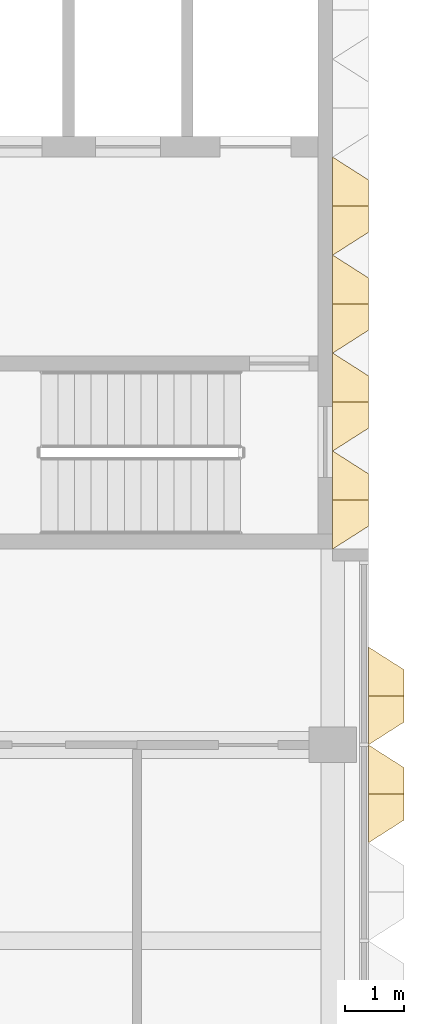
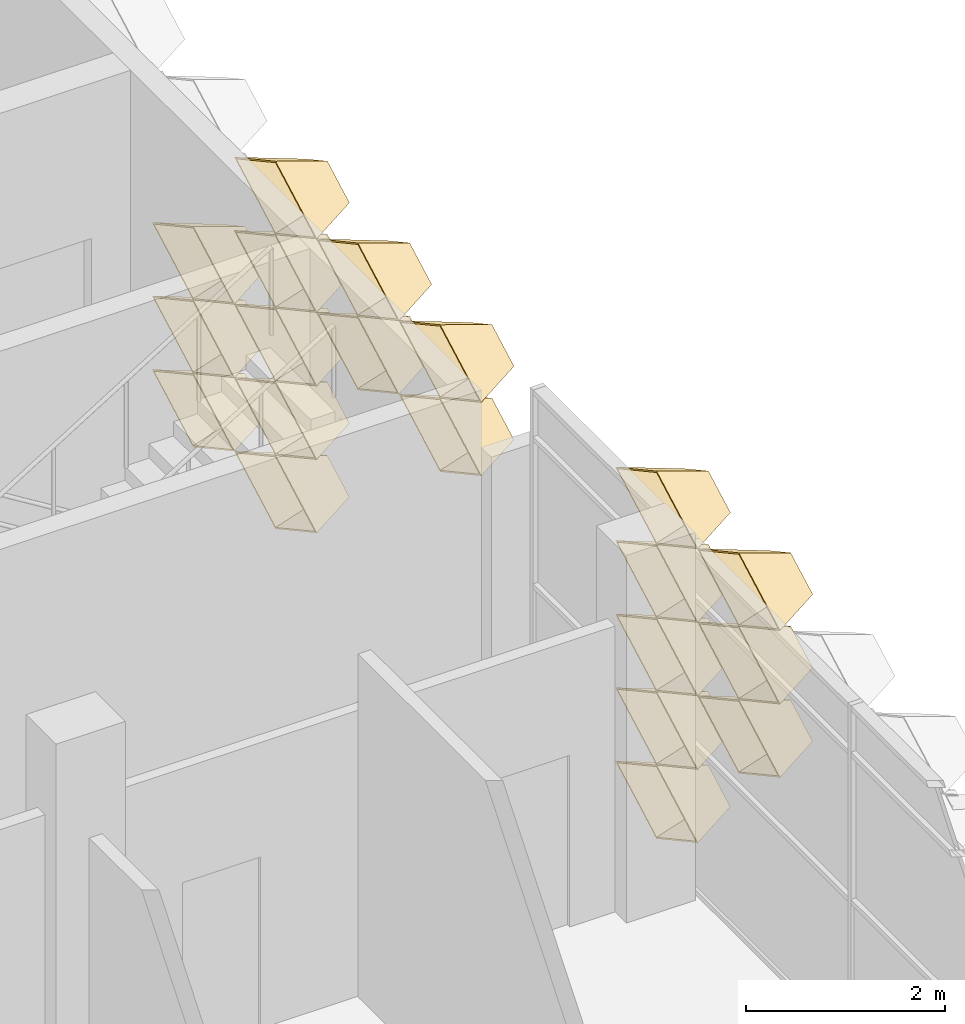
# One storey, part 54 of 61: 20 coverings.
"""IFC4 building model written with IfcOpenShell, lengths in metres."""

from ifc_helpers import new_model, entity, si_unit, direction, frame, origin, place, context, subcontext, project, spatial, material, layer, layer_set, type_object, element, save


model = new_model("IFC4")

# Units and contexts
model_context = context("Model", 3, precision=1e-05, world=origin(), true_north=direction((0.0, 1.0)))
body_context = subcontext(model_context, "Body", "Model", "MODEL_VIEW")
ifc_project = project(units=[si_unit("LENGTHUNIT", "METRE"), si_unit("AREAUNIT", "SQUARE_METRE"), si_unit("VOLUMEUNIT", "CUBIC_METRE"), si_unit("PLANEANGLEUNIT", "RADIAN"), si_unit("MASSUNIT", "GRAM", prefix="KILO")], contexts=[model_context])

# Site, building, storey
site_placement = place(None, origin())
site = spatial("IfcSite", under=ifc_project, at=site_placement, CompositionType="ELEMENT")
building_placement = place(site_placement, origin())
building = spatial("IfcBuilding", under=site, at=building_placement, Name="Lantern Court Research Institute", CompositionType="ELEMENT")
storey_placement = place(building_placement, frame((0.0, 0.0, 23.39990234375)))
storey = spatial("IfcBuildingStorey", under=building, at=storey_placement, Name="L05", CompositionType="ELEMENT", Elevation=23.39990234375)

# Coverings
ifc_material = material(Name="Anodised aluminium", Category="aluminium")
ifc_layer = layer(ifc_material, 0.01611328125)
ifc_layer_set = layer_set([ifc_layer], Name="Anodised aluminium")
covering_type = type_object("IfcCoveringType", Name="Fin cassette 1650 x 900 x 600 aluminium", PredefinedType="CLADDING", material=ifc_layer_set)
covering_1_placement = place(storey_placement, frame((79.199951171875, 17.324951171875, 0.4501953125), z_axis=(1.0, 0.0, 0.0), x_axis=(0.0, 1.0, 0.0)))
cartesian_point_1 = entity("IfcCartesianPoint", [0.824951171875, 0.0])
cartesian_point_2 = entity("IfcCartesianPoint", [0.79150390625, 0.0])
cartesian_point_3 = entity("IfcCartesianPoint", [0.44189453125, 0.0])
cartesian_point_4 = entity("IfcCartesianPoint", [0.43359375, 0.0])
element("IfcCovering", 1, at=covering_1_placement, inside=storey, type_object=covering_type, Name="Fin cassette V5E-L05 1.11", PredefinedType="CLADDING", context=body_context, shape_type="SweptSolid", body=[
    entity("IfcExtrudedAreaSolidTapered", entity("IfcArbitraryProfileDefWithVoids", "AREA", None, entity("IfcPolyline", [cartesian_point_1, entity("IfcCartesianPoint", [0.0, 0.449951171875]), entity("IfcCartesianPoint", [-0.824951171875, 0.0]), entity("IfcCartesianPoint", [0.0, -0.449951171875]), cartesian_point_1]), [entity("IfcPolyline", [cartesian_point_2, entity("IfcCartesianPoint", [0.0, 0.431884765625]), entity("IfcCartesianPoint", [-0.79150390625, 0.0]), entity("IfcCartesianPoint", [0.0, -0.431884765625]), cartesian_point_2])]), entity("IfcAxis2Placement3D", entity("IfcCartesianPoint", [0.0, 0.0, 0.0])), entity("IfcDirection", [0.0, 0.0, 1.0]), 0.60009765625, entity("IfcArbitraryProfileDefWithVoids", "AREA", None, entity("IfcPolyline", [cartesian_point_3, entity("IfcCartesianPoint", [0.0, 0.240966796875]), entity("IfcCartesianPoint", [-0.44189453125, 0.0]), entity("IfcCartesianPoint", [0.0, -0.240966796875]), cartesian_point_3]), [entity("IfcPolyline", [cartesian_point_4, entity("IfcCartesianPoint", [0.0, 0.236572265625]), entity("IfcCartesianPoint", [-0.43359375, 0.0]), entity("IfcCartesianPoint", [0.0, -0.236572265625]), cartesian_point_4])])),
])
covering_2_placement = place(storey_placement, frame((79.199951171875, 18.97509765625, 0.4501953125), z_axis=(1.0, 0.0, 0.0), x_axis=(0.0, 1.0, 0.0)))
cartesian_point_5 = entity("IfcCartesianPoint", [0.824951171875, 0.0])
cartesian_point_6 = entity("IfcCartesianPoint", [0.79150390625, 0.0])
cartesian_point_7 = entity("IfcCartesianPoint", [0.44189453125, 0.0])
cartesian_point_8 = entity("IfcCartesianPoint", [0.43359375, 0.0])
element("IfcCovering", 2, at=covering_2_placement, inside=storey, type_object=covering_type, Name="Fin cassette V5E-L05 1.12", PredefinedType="CLADDING", context=body_context, shape_type="SweptSolid", body=[
    entity("IfcExtrudedAreaSolidTapered", entity("IfcArbitraryProfileDefWithVoids", "AREA", None, entity("IfcPolyline", [cartesian_point_5, entity("IfcCartesianPoint", [0.0, 0.449951171875]), entity("IfcCartesianPoint", [-0.824951171875, 0.0]), entity("IfcCartesianPoint", [0.0, -0.449951171875]), cartesian_point_5]), [entity("IfcPolyline", [cartesian_point_6, entity("IfcCartesianPoint", [0.0, 0.431884765625]), entity("IfcCartesianPoint", [-0.79150390625, 0.0]), entity("IfcCartesianPoint", [0.0, -0.431884765625]), cartesian_point_6])]), entity("IfcAxis2Placement3D", entity("IfcCartesianPoint", [0.0, 0.0, 0.0])), entity("IfcDirection", [0.0, 0.0, 1.0]), 0.60009765625, entity("IfcArbitraryProfileDefWithVoids", "AREA", None, entity("IfcPolyline", [cartesian_point_7, entity("IfcCartesianPoint", [0.0, 0.240966796875]), entity("IfcCartesianPoint", [-0.44189453125, 0.0]), entity("IfcCartesianPoint", [0.0, -0.240966796875]), cartesian_point_7]), [entity("IfcPolyline", [cartesian_point_8, entity("IfcCartesianPoint", [0.0, 0.236572265625]), entity("IfcCartesianPoint", [-0.43359375, 0.0]), entity("IfcCartesianPoint", [0.0, -0.236572265625]), cartesian_point_8])])),
])
covering_3_placement = place(storey_placement, frame((79.199951171875, 17.324951171875, 1.35009765625), z_axis=(1.0, 0.0, 0.0), x_axis=(0.0, 1.0, 0.0)))
cartesian_point_9 = entity("IfcCartesianPoint", [0.824951171875, 0.0])
cartesian_point_10 = entity("IfcCartesianPoint", [0.79150390625, 0.0])
cartesian_point_11 = entity("IfcCartesianPoint", [0.44189453125, 0.0])
cartesian_point_12 = entity("IfcCartesianPoint", [0.43359375, 0.0])
element("IfcCovering", 3, at=covering_3_placement, inside=storey, type_object=covering_type, Name="Fin cassette V5E-L05 2.11", PredefinedType="CLADDING", context=body_context, shape_type="SweptSolid", body=[
    entity("IfcExtrudedAreaSolidTapered", entity("IfcArbitraryProfileDefWithVoids", "AREA", None, entity("IfcPolyline", [cartesian_point_9, entity("IfcCartesianPoint", [0.0, 0.449951171875]), entity("IfcCartesianPoint", [-0.824951171875, 0.0]), entity("IfcCartesianPoint", [0.0, -0.449951171875]), cartesian_point_9]), [entity("IfcPolyline", [cartesian_point_10, entity("IfcCartesianPoint", [0.0, 0.431884765625]), entity("IfcCartesianPoint", [-0.79150390625, 0.0]), entity("IfcCartesianPoint", [0.0, -0.431884765625]), cartesian_point_10])]), entity("IfcAxis2Placement3D", entity("IfcCartesianPoint", [0.0, 0.0, 0.0])), entity("IfcDirection", [0.0, 0.0, 1.0]), 0.60009765625, entity("IfcArbitraryProfileDefWithVoids", "AREA", None, entity("IfcPolyline", [cartesian_point_11, entity("IfcCartesianPoint", [0.0, 0.240966796875]), entity("IfcCartesianPoint", [-0.44189453125, 0.0]), entity("IfcCartesianPoint", [0.0, -0.240966796875]), cartesian_point_11]), [entity("IfcPolyline", [cartesian_point_12, entity("IfcCartesianPoint", [0.0, 0.236572265625]), entity("IfcCartesianPoint", [-0.43359375, 0.0]), entity("IfcCartesianPoint", [0.0, -0.236572265625]), cartesian_point_12])])),
])
covering_4_placement = place(storey_placement, frame((79.199951171875, 18.97509765625, 1.35009765625), z_axis=(1.0, 0.0, 0.0), x_axis=(0.0, 1.0, 0.0)))
cartesian_point_13 = entity("IfcCartesianPoint", [0.824951171875, 0.0])
cartesian_point_14 = entity("IfcCartesianPoint", [0.79150390625, 0.0])
cartesian_point_15 = entity("IfcCartesianPoint", [0.44189453125, 0.0])
cartesian_point_16 = entity("IfcCartesianPoint", [0.43359375, 0.0])
element("IfcCovering", 4, at=covering_4_placement, inside=storey, type_object=covering_type, Name="Fin cassette V5E-L05 2.12", PredefinedType="CLADDING", context=body_context, shape_type="SweptSolid", body=[
    entity("IfcExtrudedAreaSolidTapered", entity("IfcArbitraryProfileDefWithVoids", "AREA", None, entity("IfcPolyline", [cartesian_point_13, entity("IfcCartesianPoint", [0.0, 0.449951171875]), entity("IfcCartesianPoint", [-0.824951171875, 0.0]), entity("IfcCartesianPoint", [0.0, -0.449951171875]), cartesian_point_13]), [entity("IfcPolyline", [cartesian_point_14, entity("IfcCartesianPoint", [0.0, 0.431884765625]), entity("IfcCartesianPoint", [-0.79150390625, 0.0]), entity("IfcCartesianPoint", [0.0, -0.431884765625]), cartesian_point_14])]), entity("IfcAxis2Placement3D", entity("IfcCartesianPoint", [0.0, 0.0, 0.0])), entity("IfcDirection", [0.0, 0.0, 1.0]), 0.60009765625, entity("IfcArbitraryProfileDefWithVoids", "AREA", None, entity("IfcPolyline", [cartesian_point_15, entity("IfcCartesianPoint", [0.0, 0.240966796875]), entity("IfcCartesianPoint", [-0.44189453125, 0.0]), entity("IfcCartesianPoint", [0.0, -0.240966796875]), cartesian_point_15]), [entity("IfcPolyline", [cartesian_point_16, entity("IfcCartesianPoint", [0.0, 0.236572265625]), entity("IfcCartesianPoint", [-0.43359375, 0.0]), entity("IfcCartesianPoint", [0.0, -0.236572265625]), cartesian_point_16])])),
])
covering_5_placement = place(storey_placement, frame((79.199951171875, 17.324951171875, 2.25), z_axis=(1.0, 0.0, 0.0), x_axis=(0.0, 1.0, 0.0)))
cartesian_point_17 = entity("IfcCartesianPoint", [0.824951171875, 0.0])
cartesian_point_18 = entity("IfcCartesianPoint", [0.79150390625, 0.0])
cartesian_point_19 = entity("IfcCartesianPoint", [0.44189453125, 0.0])
cartesian_point_20 = entity("IfcCartesianPoint", [0.43359375, 0.0])
element("IfcCovering", 5, at=covering_5_placement, inside=storey, type_object=covering_type, Name="Fin cassette V5E-L05 3.11", PredefinedType="CLADDING", context=body_context, shape_type="SweptSolid", body=[
    entity("IfcExtrudedAreaSolidTapered", entity("IfcArbitraryProfileDefWithVoids", "AREA", None, entity("IfcPolyline", [cartesian_point_17, entity("IfcCartesianPoint", [0.0, 0.449951171875]), entity("IfcCartesianPoint", [-0.824951171875, 0.0]), entity("IfcCartesianPoint", [0.0, -0.449951171875]), cartesian_point_17]), [entity("IfcPolyline", [cartesian_point_18, entity("IfcCartesianPoint", [0.0, 0.431884765625]), entity("IfcCartesianPoint", [-0.79150390625, 0.0]), entity("IfcCartesianPoint", [0.0, -0.431884765625]), cartesian_point_18])]), entity("IfcAxis2Placement3D", entity("IfcCartesianPoint", [0.0, 0.0, 0.0])), entity("IfcDirection", [0.0, 0.0, 1.0]), 0.60009765625, entity("IfcArbitraryProfileDefWithVoids", "AREA", None, entity("IfcPolyline", [cartesian_point_19, entity("IfcCartesianPoint", [0.0, 0.240966796875]), entity("IfcCartesianPoint", [-0.44189453125, 0.0]), entity("IfcCartesianPoint", [0.0, -0.240966796875]), cartesian_point_19]), [entity("IfcPolyline", [cartesian_point_20, entity("IfcCartesianPoint", [0.0, 0.236572265625]), entity("IfcCartesianPoint", [-0.43359375, 0.0]), entity("IfcCartesianPoint", [0.0, -0.236572265625]), cartesian_point_20])])),
])
covering_6_placement = place(storey_placement, frame((79.199951171875, 18.97509765625, 2.25), z_axis=(1.0, 0.0, 0.0), x_axis=(0.0, 1.0, 0.0)))
cartesian_point_21 = entity("IfcCartesianPoint", [0.824951171875, 0.0])
cartesian_point_22 = entity("IfcCartesianPoint", [0.79150390625, 0.0])
cartesian_point_23 = entity("IfcCartesianPoint", [0.44189453125, 0.0])
cartesian_point_24 = entity("IfcCartesianPoint", [0.43359375, 0.0])
element("IfcCovering", 6, at=covering_6_placement, inside=storey, type_object=covering_type, Name="Fin cassette V5E-L05 3.12", PredefinedType="CLADDING", context=body_context, shape_type="SweptSolid", body=[
    entity("IfcExtrudedAreaSolidTapered", entity("IfcArbitraryProfileDefWithVoids", "AREA", None, entity("IfcPolyline", [cartesian_point_21, entity("IfcCartesianPoint", [0.0, 0.449951171875]), entity("IfcCartesianPoint", [-0.824951171875, 0.0]), entity("IfcCartesianPoint", [0.0, -0.449951171875]), cartesian_point_21]), [entity("IfcPolyline", [cartesian_point_22, entity("IfcCartesianPoint", [0.0, 0.431884765625]), entity("IfcCartesianPoint", [-0.79150390625, 0.0]), entity("IfcCartesianPoint", [0.0, -0.431884765625]), cartesian_point_22])]), entity("IfcAxis2Placement3D", entity("IfcCartesianPoint", [0.0, 0.0, 0.0])), entity("IfcDirection", [0.0, 0.0, 1.0]), 0.60009765625, entity("IfcArbitraryProfileDefWithVoids", "AREA", None, entity("IfcPolyline", [cartesian_point_23, entity("IfcCartesianPoint", [0.0, 0.240966796875]), entity("IfcCartesianPoint", [-0.44189453125, 0.0]), entity("IfcCartesianPoint", [0.0, -0.240966796875]), cartesian_point_23]), [entity("IfcPolyline", [cartesian_point_24, entity("IfcCartesianPoint", [0.0, 0.236572265625]), entity("IfcCartesianPoint", [-0.43359375, 0.0]), entity("IfcCartesianPoint", [0.0, -0.236572265625]), cartesian_point_24])])),
])
covering_7_placement = place(storey_placement, frame((79.199951171875, 14.02490234375, 3.150146484375), z_axis=(1.0, 0.0, 0.0), x_axis=(0.0, 1.0, 0.0)))
cartesian_point_25 = entity("IfcCartesianPoint", [0.824951171875, 0.0])
cartesian_point_26 = entity("IfcCartesianPoint", [0.79150390625, 0.0])
cartesian_point_27 = entity("IfcCartesianPoint", [0.44189453125, 0.0])
cartesian_point_28 = entity("IfcCartesianPoint", [0.43359375, 0.0])
element("IfcCovering", 7, at=covering_7_placement, inside=storey, type_object=covering_type, Name="Fin cassette V5E-L05 4.9", PredefinedType="CLADDING", context=body_context, shape_type="SweptSolid", body=[
    entity("IfcExtrudedAreaSolidTapered", entity("IfcArbitraryProfileDefWithVoids", "AREA", None, entity("IfcPolyline", [cartesian_point_25, entity("IfcCartesianPoint", [0.0, 0.449951171875]), entity("IfcCartesianPoint", [-0.824951171875, 0.0]), entity("IfcCartesianPoint", [0.0, -0.449951171875]), cartesian_point_25]), [entity("IfcPolyline", [cartesian_point_26, entity("IfcCartesianPoint", [0.0, 0.431884765625]), entity("IfcCartesianPoint", [-0.79150390625, 0.0]), entity("IfcCartesianPoint", [0.0, -0.431884765625]), cartesian_point_26])]), entity("IfcAxis2Placement3D", entity("IfcCartesianPoint", [0.0, 0.0, 0.0])), entity("IfcDirection", [0.0, 0.0, 1.0]), 0.60009765625, entity("IfcArbitraryProfileDefWithVoids", "AREA", None, entity("IfcPolyline", [cartesian_point_27, entity("IfcCartesianPoint", [0.0, 0.240966796875]), entity("IfcCartesianPoint", [-0.44189453125, 0.0]), entity("IfcCartesianPoint", [0.0, -0.240966796875]), cartesian_point_27]), [entity("IfcPolyline", [cartesian_point_28, entity("IfcCartesianPoint", [0.0, 0.236572265625]), entity("IfcCartesianPoint", [-0.43359375, 0.0]), entity("IfcCartesianPoint", [0.0, -0.236572265625]), cartesian_point_28])])),
])
covering_8_placement = place(storey_placement, frame((79.199951171875, 15.675048828125, 3.150146484375), z_axis=(1.0, 0.0, 0.0), x_axis=(0.0, 1.0, 0.0)))
cartesian_point_29 = entity("IfcCartesianPoint", [0.824951171875, 0.0])
cartesian_point_30 = entity("IfcCartesianPoint", [0.79150390625, 0.0])
cartesian_point_31 = entity("IfcCartesianPoint", [0.44189453125, 0.0])
cartesian_point_32 = entity("IfcCartesianPoint", [0.43359375, 0.0])
element("IfcCovering", 8, at=covering_8_placement, inside=storey, type_object=covering_type, Name="Fin cassette V5E-L05 4.10", PredefinedType="CLADDING", context=body_context, shape_type="SweptSolid", body=[
    entity("IfcExtrudedAreaSolidTapered", entity("IfcArbitraryProfileDefWithVoids", "AREA", None, entity("IfcPolyline", [cartesian_point_29, entity("IfcCartesianPoint", [0.0, 0.449951171875]), entity("IfcCartesianPoint", [-0.824951171875, 0.0]), entity("IfcCartesianPoint", [0.0, -0.449951171875]), cartesian_point_29]), [entity("IfcPolyline", [cartesian_point_30, entity("IfcCartesianPoint", [0.0, 0.431884765625]), entity("IfcCartesianPoint", [-0.79150390625, 0.0]), entity("IfcCartesianPoint", [0.0, -0.431884765625]), cartesian_point_30])]), entity("IfcAxis2Placement3D", entity("IfcCartesianPoint", [0.0, 0.0, 0.0])), entity("IfcDirection", [0.0, 0.0, 1.0]), 0.60009765625, entity("IfcArbitraryProfileDefWithVoids", "AREA", None, entity("IfcPolyline", [cartesian_point_31, entity("IfcCartesianPoint", [0.0, 0.240966796875]), entity("IfcCartesianPoint", [-0.44189453125, 0.0]), entity("IfcCartesianPoint", [0.0, -0.240966796875]), cartesian_point_31]), [entity("IfcPolyline", [cartesian_point_32, entity("IfcCartesianPoint", [0.0, 0.236572265625]), entity("IfcCartesianPoint", [-0.43359375, 0.0]), entity("IfcCartesianPoint", [0.0, -0.236572265625]), cartesian_point_32])])),
])
covering_9_placement = place(storey_placement, frame((79.199951171875, 17.324951171875, 3.150146484375), z_axis=(1.0, 0.0, 0.0), x_axis=(0.0, 1.0, 0.0)))
cartesian_point_33 = entity("IfcCartesianPoint", [0.824951171875, 0.0])
cartesian_point_34 = entity("IfcCartesianPoint", [0.79150390625, 0.0])
cartesian_point_35 = entity("IfcCartesianPoint", [0.44189453125, 0.0])
cartesian_point_36 = entity("IfcCartesianPoint", [0.43359375, 0.0])
element("IfcCovering", 9, at=covering_9_placement, inside=storey, type_object=covering_type, Name="Fin cassette V5E-L05 4.11", PredefinedType="CLADDING", context=body_context, shape_type="SweptSolid", body=[
    entity("IfcExtrudedAreaSolidTapered", entity("IfcArbitraryProfileDefWithVoids", "AREA", None, entity("IfcPolyline", [cartesian_point_33, entity("IfcCartesianPoint", [0.0, 0.449951171875]), entity("IfcCartesianPoint", [-0.824951171875, 0.0]), entity("IfcCartesianPoint", [0.0, -0.449951171875]), cartesian_point_33]), [entity("IfcPolyline", [cartesian_point_34, entity("IfcCartesianPoint", [0.0, 0.431884765625]), entity("IfcCartesianPoint", [-0.79150390625, 0.0]), entity("IfcCartesianPoint", [0.0, -0.431884765625]), cartesian_point_34])]), entity("IfcAxis2Placement3D", entity("IfcCartesianPoint", [0.0, 0.0, 0.0])), entity("IfcDirection", [0.0, 0.0, 1.0]), 0.60009765625, entity("IfcArbitraryProfileDefWithVoids", "AREA", None, entity("IfcPolyline", [cartesian_point_35, entity("IfcCartesianPoint", [0.0, 0.240966796875]), entity("IfcCartesianPoint", [-0.44189453125, 0.0]), entity("IfcCartesianPoint", [0.0, -0.240966796875]), cartesian_point_35]), [entity("IfcPolyline", [cartesian_point_36, entity("IfcCartesianPoint", [0.0, 0.236572265625]), entity("IfcCartesianPoint", [-0.43359375, 0.0]), entity("IfcCartesianPoint", [0.0, -0.236572265625]), cartesian_point_36])])),
])
covering_10_placement = place(storey_placement, frame((79.199951171875, 14.02490234375, 4.050048828125), z_axis=(1.0, 0.0, 0.0), x_axis=(0.0, 1.0, 0.0)))
cartesian_point_37 = entity("IfcCartesianPoint", [0.824951171875, 0.0])
cartesian_point_38 = entity("IfcCartesianPoint", [0.79150390625, 0.0])
cartesian_point_39 = entity("IfcCartesianPoint", [0.44189453125, 0.0])
cartesian_point_40 = entity("IfcCartesianPoint", [0.43359375, 0.0])
element("IfcCovering", 10, at=covering_10_placement, inside=storey, type_object=covering_type, Name="Fin cassette V5E-L05 5.9", PredefinedType="CLADDING", context=body_context, shape_type="SweptSolid", body=[
    entity("IfcExtrudedAreaSolidTapered", entity("IfcArbitraryProfileDefWithVoids", "AREA", None, entity("IfcPolyline", [cartesian_point_37, entity("IfcCartesianPoint", [0.0, 0.449951171875]), entity("IfcCartesianPoint", [-0.824951171875, 0.0]), entity("IfcCartesianPoint", [0.0, -0.449951171875]), cartesian_point_37]), [entity("IfcPolyline", [cartesian_point_38, entity("IfcCartesianPoint", [0.0, 0.431884765625]), entity("IfcCartesianPoint", [-0.79150390625, 0.0]), entity("IfcCartesianPoint", [0.0, -0.431884765625]), cartesian_point_38])]), entity("IfcAxis2Placement3D", entity("IfcCartesianPoint", [0.0, 0.0, 0.0])), entity("IfcDirection", [0.0, 0.0, 1.0]), 0.60009765625, entity("IfcArbitraryProfileDefWithVoids", "AREA", None, entity("IfcPolyline", [cartesian_point_39, entity("IfcCartesianPoint", [0.0, 0.240966796875]), entity("IfcCartesianPoint", [-0.44189453125, 0.0]), entity("IfcCartesianPoint", [0.0, -0.240966796875]), cartesian_point_39]), [entity("IfcPolyline", [cartesian_point_40, entity("IfcCartesianPoint", [0.0, 0.236572265625]), entity("IfcCartesianPoint", [-0.43359375, 0.0]), entity("IfcCartesianPoint", [0.0, -0.236572265625]), cartesian_point_40])])),
])
covering_11_placement = place(storey_placement, frame((79.199951171875, 15.675048828125, 4.050048828125), z_axis=(1.0, 0.0, 0.0), x_axis=(0.0, 1.0, 0.0)))
cartesian_point_41 = entity("IfcCartesianPoint", [0.824951171875, 0.0])
cartesian_point_42 = entity("IfcCartesianPoint", [0.79150390625, 0.0])
cartesian_point_43 = entity("IfcCartesianPoint", [0.44189453125, 0.0])
cartesian_point_44 = entity("IfcCartesianPoint", [0.43359375, 0.0])
element("IfcCovering", 11, at=covering_11_placement, inside=storey, type_object=covering_type, Name="Fin cassette V5E-L05 5.10", PredefinedType="CLADDING", context=body_context, shape_type="SweptSolid", body=[
    entity("IfcExtrudedAreaSolidTapered", entity("IfcArbitraryProfileDefWithVoids", "AREA", None, entity("IfcPolyline", [cartesian_point_41, entity("IfcCartesianPoint", [0.0, 0.449951171875]), entity("IfcCartesianPoint", [-0.824951171875, 0.0]), entity("IfcCartesianPoint", [0.0, -0.449951171875]), cartesian_point_41]), [entity("IfcPolyline", [cartesian_point_42, entity("IfcCartesianPoint", [0.0, 0.431884765625]), entity("IfcCartesianPoint", [-0.79150390625, 0.0]), entity("IfcCartesianPoint", [0.0, -0.431884765625]), cartesian_point_42])]), entity("IfcAxis2Placement3D", entity("IfcCartesianPoint", [0.0, 0.0, 0.0])), entity("IfcDirection", [0.0, 0.0, 1.0]), 0.60009765625, entity("IfcArbitraryProfileDefWithVoids", "AREA", None, entity("IfcPolyline", [cartesian_point_43, entity("IfcCartesianPoint", [0.0, 0.240966796875]), entity("IfcCartesianPoint", [-0.44189453125, 0.0]), entity("IfcCartesianPoint", [0.0, -0.240966796875]), cartesian_point_43]), [entity("IfcPolyline", [cartesian_point_44, entity("IfcCartesianPoint", [0.0, 0.236572265625]), entity("IfcCartesianPoint", [-0.43359375, 0.0]), entity("IfcCartesianPoint", [0.0, -0.236572265625]), cartesian_point_44])])),
])
covering_12_placement = place(storey_placement, frame((79.199951171875, 17.324951171875, 4.050048828125), z_axis=(1.0, 0.0, 0.0), x_axis=(0.0, 1.0, 0.0)))
cartesian_point_45 = entity("IfcCartesianPoint", [0.824951171875, 0.0])
cartesian_point_46 = entity("IfcCartesianPoint", [0.79150390625, 0.0])
cartesian_point_47 = entity("IfcCartesianPoint", [0.44189453125, 0.0])
cartesian_point_48 = entity("IfcCartesianPoint", [0.43359375, 0.0])
element("IfcCovering", 12, at=covering_12_placement, inside=storey, type_object=covering_type, Name="Fin cassette V5E-L05 5.11", PredefinedType="CLADDING", context=body_context, shape_type="SweptSolid", body=[
    entity("IfcExtrudedAreaSolidTapered", entity("IfcArbitraryProfileDefWithVoids", "AREA", None, entity("IfcPolyline", [cartesian_point_45, entity("IfcCartesianPoint", [0.0, 0.449951171875]), entity("IfcCartesianPoint", [-0.824951171875, 0.0]), entity("IfcCartesianPoint", [0.0, -0.449951171875]), cartesian_point_45]), [entity("IfcPolyline", [cartesian_point_46, entity("IfcCartesianPoint", [0.0, 0.431884765625]), entity("IfcCartesianPoint", [-0.79150390625, 0.0]), entity("IfcCartesianPoint", [0.0, -0.431884765625]), cartesian_point_46])]), entity("IfcAxis2Placement3D", entity("IfcCartesianPoint", [0.0, 0.0, 0.0])), entity("IfcDirection", [0.0, 0.0, 1.0]), 0.60009765625, entity("IfcArbitraryProfileDefWithVoids", "AREA", None, entity("IfcPolyline", [cartesian_point_47, entity("IfcCartesianPoint", [0.0, 0.240966796875]), entity("IfcCartesianPoint", [-0.44189453125, 0.0]), entity("IfcCartesianPoint", [0.0, -0.240966796875]), cartesian_point_47]), [entity("IfcPolyline", [cartesian_point_48, entity("IfcCartesianPoint", [0.0, 0.236572265625]), entity("IfcCartesianPoint", [-0.43359375, 0.0]), entity("IfcCartesianPoint", [0.0, -0.236572265625]), cartesian_point_48])])),
])
covering_13_placement = place(storey_placement, frame((79.800048828125, 10.72509765625, 0.4501953125), z_axis=(1.0, 0.0, 0.0), x_axis=(0.0, 1.0, 0.0)))
cartesian_point_49 = entity("IfcCartesianPoint", [0.824951171875, 0.0])
cartesian_point_50 = entity("IfcCartesianPoint", [0.79150390625, 0.0])
cartesian_point_51 = entity("IfcCartesianPoint", [0.44189453125, 0.0])
cartesian_point_52 = entity("IfcCartesianPoint", [0.43359375, 0.0])
element("IfcCovering", 13, at=covering_13_placement, inside=storey, type_object=covering_type, Name="Fin cassette V5E-L05 1.7", PredefinedType="CLADDING", context=body_context, shape_type="SweptSolid", body=[
    entity("IfcExtrudedAreaSolidTapered", entity("IfcArbitraryProfileDefWithVoids", "AREA", None, entity("IfcPolyline", [cartesian_point_49, entity("IfcCartesianPoint", [0.0, 0.449951171875]), entity("IfcCartesianPoint", [-0.824951171875, 0.0]), entity("IfcCartesianPoint", [0.0, -0.449951171875]), cartesian_point_49]), [entity("IfcPolyline", [cartesian_point_50, entity("IfcCartesianPoint", [0.0, 0.431884765625]), entity("IfcCartesianPoint", [-0.79150390625, 0.0]), entity("IfcCartesianPoint", [0.0, -0.431884765625]), cartesian_point_50])]), entity("IfcAxis2Placement3D", entity("IfcCartesianPoint", [0.0, 0.0, 0.0])), entity("IfcDirection", [0.0, 0.0, 1.0]), 0.60009765625, entity("IfcArbitraryProfileDefWithVoids", "AREA", None, entity("IfcPolyline", [cartesian_point_51, entity("IfcCartesianPoint", [0.0, 0.240966796875]), entity("IfcCartesianPoint", [-0.44189453125, 0.0]), entity("IfcCartesianPoint", [0.0, -0.240966796875]), cartesian_point_51]), [entity("IfcPolyline", [cartesian_point_52, entity("IfcCartesianPoint", [0.0, 0.236572265625]), entity("IfcCartesianPoint", [-0.43359375, 0.0]), entity("IfcCartesianPoint", [0.0, -0.236572265625]), cartesian_point_52])])),
])
covering_14_placement = place(storey_placement, frame((79.800048828125, 10.72509765625, 1.35009765625), z_axis=(1.0, 0.0, 0.0), x_axis=(0.0, 1.0, 0.0)))
cartesian_point_53 = entity("IfcCartesianPoint", [0.824951171875, 0.0])
cartesian_point_54 = entity("IfcCartesianPoint", [0.79150390625, 0.0])
cartesian_point_55 = entity("IfcCartesianPoint", [0.44189453125, 0.0])
cartesian_point_56 = entity("IfcCartesianPoint", [0.43359375, 0.0])
element("IfcCovering", 14, at=covering_14_placement, inside=storey, type_object=covering_type, Name="Fin cassette V5E-L05 2.7", PredefinedType="CLADDING", context=body_context, shape_type="SweptSolid", body=[
    entity("IfcExtrudedAreaSolidTapered", entity("IfcArbitraryProfileDefWithVoids", "AREA", None, entity("IfcPolyline", [cartesian_point_53, entity("IfcCartesianPoint", [0.0, 0.449951171875]), entity("IfcCartesianPoint", [-0.824951171875, 0.0]), entity("IfcCartesianPoint", [0.0, -0.449951171875]), cartesian_point_53]), [entity("IfcPolyline", [cartesian_point_54, entity("IfcCartesianPoint", [0.0, 0.431884765625]), entity("IfcCartesianPoint", [-0.79150390625, 0.0]), entity("IfcCartesianPoint", [0.0, -0.431884765625]), cartesian_point_54])]), entity("IfcAxis2Placement3D", entity("IfcCartesianPoint", [0.0, 0.0, 0.0])), entity("IfcDirection", [0.0, 0.0, 1.0]), 0.60009765625, entity("IfcArbitraryProfileDefWithVoids", "AREA", None, entity("IfcPolyline", [cartesian_point_55, entity("IfcCartesianPoint", [0.0, 0.240966796875]), entity("IfcCartesianPoint", [-0.44189453125, 0.0]), entity("IfcCartesianPoint", [0.0, -0.240966796875]), cartesian_point_55]), [entity("IfcPolyline", [cartesian_point_56, entity("IfcCartesianPoint", [0.0, 0.236572265625]), entity("IfcCartesianPoint", [-0.43359375, 0.0]), entity("IfcCartesianPoint", [0.0, -0.236572265625]), cartesian_point_56])])),
])
covering_15_placement = place(storey_placement, frame((79.800048828125, 9.074951171875, 2.25), z_axis=(1.0, 0.0, 0.0), x_axis=(0.0, 1.0, 0.0)))
cartesian_point_57 = entity("IfcCartesianPoint", [0.824951171875, 0.0])
cartesian_point_58 = entity("IfcCartesianPoint", [0.79150390625, 0.0])
cartesian_point_59 = entity("IfcCartesianPoint", [0.44189453125, 0.0])
cartesian_point_60 = entity("IfcCartesianPoint", [0.43359375, 0.0])
element("IfcCovering", 15, at=covering_15_placement, inside=storey, type_object=covering_type, Name="Fin cassette V5E-L05 3.6", PredefinedType="CLADDING", context=body_context, shape_type="SweptSolid", body=[
    entity("IfcExtrudedAreaSolidTapered", entity("IfcArbitraryProfileDefWithVoids", "AREA", None, entity("IfcPolyline", [cartesian_point_57, entity("IfcCartesianPoint", [0.0, 0.449951171875]), entity("IfcCartesianPoint", [-0.824951171875, 0.0]), entity("IfcCartesianPoint", [0.0, -0.449951171875]), cartesian_point_57]), [entity("IfcPolyline", [cartesian_point_58, entity("IfcCartesianPoint", [0.0, 0.431884765625]), entity("IfcCartesianPoint", [-0.79150390625, 0.0]), entity("IfcCartesianPoint", [0.0, -0.431884765625]), cartesian_point_58])]), entity("IfcAxis2Placement3D", entity("IfcCartesianPoint", [0.0, 0.0, 0.0])), entity("IfcDirection", [0.0, 0.0, 1.0]), 0.60009765625, entity("IfcArbitraryProfileDefWithVoids", "AREA", None, entity("IfcPolyline", [cartesian_point_59, entity("IfcCartesianPoint", [0.0, 0.240966796875]), entity("IfcCartesianPoint", [-0.44189453125, 0.0]), entity("IfcCartesianPoint", [0.0, -0.240966796875]), cartesian_point_59]), [entity("IfcPolyline", [cartesian_point_60, entity("IfcCartesianPoint", [0.0, 0.236572265625]), entity("IfcCartesianPoint", [-0.43359375, 0.0]), entity("IfcCartesianPoint", [0.0, -0.236572265625]), cartesian_point_60])])),
])
covering_16_placement = place(storey_placement, frame((79.800048828125, 10.72509765625, 2.25), z_axis=(1.0, 0.0, 0.0), x_axis=(0.0, 1.0, 0.0)))
cartesian_point_61 = entity("IfcCartesianPoint", [0.824951171875, 0.0])
cartesian_point_62 = entity("IfcCartesianPoint", [0.79150390625, 0.0])
cartesian_point_63 = entity("IfcCartesianPoint", [0.44189453125, 0.0])
cartesian_point_64 = entity("IfcCartesianPoint", [0.43359375, 0.0])
element("IfcCovering", 16, at=covering_16_placement, inside=storey, type_object=covering_type, Name="Fin cassette V5E-L05 3.7", PredefinedType="CLADDING", context=body_context, shape_type="SweptSolid", body=[
    entity("IfcExtrudedAreaSolidTapered", entity("IfcArbitraryProfileDefWithVoids", "AREA", None, entity("IfcPolyline", [cartesian_point_61, entity("IfcCartesianPoint", [0.0, 0.449951171875]), entity("IfcCartesianPoint", [-0.824951171875, 0.0]), entity("IfcCartesianPoint", [0.0, -0.449951171875]), cartesian_point_61]), [entity("IfcPolyline", [cartesian_point_62, entity("IfcCartesianPoint", [0.0, 0.431884765625]), entity("IfcCartesianPoint", [-0.79150390625, 0.0]), entity("IfcCartesianPoint", [0.0, -0.431884765625]), cartesian_point_62])]), entity("IfcAxis2Placement3D", entity("IfcCartesianPoint", [0.0, 0.0, 0.0])), entity("IfcDirection", [0.0, 0.0, 1.0]), 0.60009765625, entity("IfcArbitraryProfileDefWithVoids", "AREA", None, entity("IfcPolyline", [cartesian_point_63, entity("IfcCartesianPoint", [0.0, 0.240966796875]), entity("IfcCartesianPoint", [-0.44189453125, 0.0]), entity("IfcCartesianPoint", [0.0, -0.240966796875]), cartesian_point_63]), [entity("IfcPolyline", [cartesian_point_64, entity("IfcCartesianPoint", [0.0, 0.236572265625]), entity("IfcCartesianPoint", [-0.43359375, 0.0]), entity("IfcCartesianPoint", [0.0, -0.236572265625]), cartesian_point_64])])),
])
covering_17_placement = place(storey_placement, frame((79.800048828125, 9.074951171875, 3.150146484375), z_axis=(1.0, 0.0, 0.0), x_axis=(0.0, 1.0, 0.0)))
cartesian_point_65 = entity("IfcCartesianPoint", [0.824951171875, 0.0])
cartesian_point_66 = entity("IfcCartesianPoint", [0.79150390625, 0.0])
cartesian_point_67 = entity("IfcCartesianPoint", [0.44189453125, 0.0])
cartesian_point_68 = entity("IfcCartesianPoint", [0.43359375, 0.0])
element("IfcCovering", 17, at=covering_17_placement, inside=storey, type_object=covering_type, Name="Fin cassette V5E-L05 4.6", PredefinedType="CLADDING", context=body_context, shape_type="SweptSolid", body=[
    entity("IfcExtrudedAreaSolidTapered", entity("IfcArbitraryProfileDefWithVoids", "AREA", None, entity("IfcPolyline", [cartesian_point_65, entity("IfcCartesianPoint", [0.0, 0.449951171875]), entity("IfcCartesianPoint", [-0.824951171875, 0.0]), entity("IfcCartesianPoint", [0.0, -0.449951171875]), cartesian_point_65]), [entity("IfcPolyline", [cartesian_point_66, entity("IfcCartesianPoint", [0.0, 0.431884765625]), entity("IfcCartesianPoint", [-0.79150390625, 0.0]), entity("IfcCartesianPoint", [0.0, -0.431884765625]), cartesian_point_66])]), entity("IfcAxis2Placement3D", entity("IfcCartesianPoint", [0.0, 0.0, 0.0])), entity("IfcDirection", [0.0, 0.0, 1.0]), 0.60009765625, entity("IfcArbitraryProfileDefWithVoids", "AREA", None, entity("IfcPolyline", [cartesian_point_67, entity("IfcCartesianPoint", [0.0, 0.240966796875]), entity("IfcCartesianPoint", [-0.44189453125, 0.0]), entity("IfcCartesianPoint", [0.0, -0.240966796875]), cartesian_point_67]), [entity("IfcPolyline", [cartesian_point_68, entity("IfcCartesianPoint", [0.0, 0.236572265625]), entity("IfcCartesianPoint", [-0.43359375, 0.0]), entity("IfcCartesianPoint", [0.0, -0.236572265625]), cartesian_point_68])])),
])
covering_18_placement = place(storey_placement, frame((79.800048828125, 10.72509765625, 3.150146484375), z_axis=(1.0, 0.0, 0.0), x_axis=(0.0, 1.0, 0.0)))
cartesian_point_69 = entity("IfcCartesianPoint", [0.824951171875, 0.0])
cartesian_point_70 = entity("IfcCartesianPoint", [0.79150390625, 0.0])
cartesian_point_71 = entity("IfcCartesianPoint", [0.44189453125, 0.0])
cartesian_point_72 = entity("IfcCartesianPoint", [0.43359375, 0.0])
element("IfcCovering", 18, at=covering_18_placement, inside=storey, type_object=covering_type, Name="Fin cassette V5E-L05 4.7", PredefinedType="CLADDING", context=body_context, shape_type="SweptSolid", body=[
    entity("IfcExtrudedAreaSolidTapered", entity("IfcArbitraryProfileDefWithVoids", "AREA", None, entity("IfcPolyline", [cartesian_point_69, entity("IfcCartesianPoint", [0.0, 0.449951171875]), entity("IfcCartesianPoint", [-0.824951171875, 0.0]), entity("IfcCartesianPoint", [0.0, -0.449951171875]), cartesian_point_69]), [entity("IfcPolyline", [cartesian_point_70, entity("IfcCartesianPoint", [0.0, 0.431884765625]), entity("IfcCartesianPoint", [-0.79150390625, 0.0]), entity("IfcCartesianPoint", [0.0, -0.431884765625]), cartesian_point_70])]), entity("IfcAxis2Placement3D", entity("IfcCartesianPoint", [0.0, 0.0, 0.0])), entity("IfcDirection", [0.0, 0.0, 1.0]), 0.60009765625, entity("IfcArbitraryProfileDefWithVoids", "AREA", None, entity("IfcPolyline", [cartesian_point_71, entity("IfcCartesianPoint", [0.0, 0.240966796875]), entity("IfcCartesianPoint", [-0.44189453125, 0.0]), entity("IfcCartesianPoint", [0.0, -0.240966796875]), cartesian_point_71]), [entity("IfcPolyline", [cartesian_point_72, entity("IfcCartesianPoint", [0.0, 0.236572265625]), entity("IfcCartesianPoint", [-0.43359375, 0.0]), entity("IfcCartesianPoint", [0.0, -0.236572265625]), cartesian_point_72])])),
])
covering_19_placement = place(storey_placement, frame((79.800048828125, 9.074951171875, 4.050048828125), z_axis=(1.0, 0.0, 0.0), x_axis=(0.0, 1.0, 0.0)))
cartesian_point_73 = entity("IfcCartesianPoint", [0.824951171875, 0.0])
cartesian_point_74 = entity("IfcCartesianPoint", [0.79150390625, 0.0])
cartesian_point_75 = entity("IfcCartesianPoint", [0.44189453125, 0.0])
cartesian_point_76 = entity("IfcCartesianPoint", [0.43359375, 0.0])
element("IfcCovering", 19, at=covering_19_placement, inside=storey, type_object=covering_type, Name="Fin cassette V5E-L05 5.6", PredefinedType="CLADDING", context=body_context, shape_type="SweptSolid", body=[
    entity("IfcExtrudedAreaSolidTapered", entity("IfcArbitraryProfileDefWithVoids", "AREA", None, entity("IfcPolyline", [cartesian_point_73, entity("IfcCartesianPoint", [0.0, 0.449951171875]), entity("IfcCartesianPoint", [-0.824951171875, 0.0]), entity("IfcCartesianPoint", [0.0, -0.449951171875]), cartesian_point_73]), [entity("IfcPolyline", [cartesian_point_74, entity("IfcCartesianPoint", [0.0, 0.431884765625]), entity("IfcCartesianPoint", [-0.79150390625, 0.0]), entity("IfcCartesianPoint", [0.0, -0.431884765625]), cartesian_point_74])]), entity("IfcAxis2Placement3D", entity("IfcCartesianPoint", [0.0, 0.0, 0.0])), entity("IfcDirection", [0.0, 0.0, 1.0]), 0.60009765625, entity("IfcArbitraryProfileDefWithVoids", "AREA", None, entity("IfcPolyline", [cartesian_point_75, entity("IfcCartesianPoint", [0.0, 0.240966796875]), entity("IfcCartesianPoint", [-0.44189453125, 0.0]), entity("IfcCartesianPoint", [0.0, -0.240966796875]), cartesian_point_75]), [entity("IfcPolyline", [cartesian_point_76, entity("IfcCartesianPoint", [0.0, 0.236572265625]), entity("IfcCartesianPoint", [-0.43359375, 0.0]), entity("IfcCartesianPoint", [0.0, -0.236572265625]), cartesian_point_76])])),
])
covering_20_placement = place(storey_placement, frame((79.800048828125, 10.72509765625, 4.050048828125), z_axis=(1.0, 0.0, 0.0), x_axis=(0.0, 1.0, 0.0)))
cartesian_point_77 = entity("IfcCartesianPoint", [0.824951171875, 0.0])
cartesian_point_78 = entity("IfcCartesianPoint", [0.79150390625, 0.0])
cartesian_point_79 = entity("IfcCartesianPoint", [0.44189453125, 0.0])
cartesian_point_80 = entity("IfcCartesianPoint", [0.43359375, 0.0])
element("IfcCovering", 20, at=covering_20_placement, inside=storey, type_object=covering_type, Name="Fin cassette V5E-L05 5.7", PredefinedType="CLADDING", context=body_context, shape_type="SweptSolid", body=[
    entity("IfcExtrudedAreaSolidTapered", entity("IfcArbitraryProfileDefWithVoids", "AREA", None, entity("IfcPolyline", [cartesian_point_77, entity("IfcCartesianPoint", [0.0, 0.449951171875]), entity("IfcCartesianPoint", [-0.824951171875, 0.0]), entity("IfcCartesianPoint", [0.0, -0.449951171875]), cartesian_point_77]), [entity("IfcPolyline", [cartesian_point_78, entity("IfcCartesianPoint", [0.0, 0.431884765625]), entity("IfcCartesianPoint", [-0.79150390625, 0.0]), entity("IfcCartesianPoint", [0.0, -0.431884765625]), cartesian_point_78])]), entity("IfcAxis2Placement3D", entity("IfcCartesianPoint", [0.0, 0.0, 0.0])), entity("IfcDirection", [0.0, 0.0, 1.0]), 0.60009765625, entity("IfcArbitraryProfileDefWithVoids", "AREA", None, entity("IfcPolyline", [cartesian_point_79, entity("IfcCartesianPoint", [0.0, 0.240966796875]), entity("IfcCartesianPoint", [-0.44189453125, 0.0]), entity("IfcCartesianPoint", [0.0, -0.240966796875]), cartesian_point_79]), [entity("IfcPolyline", [cartesian_point_80, entity("IfcCartesianPoint", [0.0, 0.236572265625]), entity("IfcCartesianPoint", [-0.43359375, 0.0]), entity("IfcCartesianPoint", [0.0, -0.236572265625]), cartesian_point_80])])),
])

save(model, "model.ifc")
